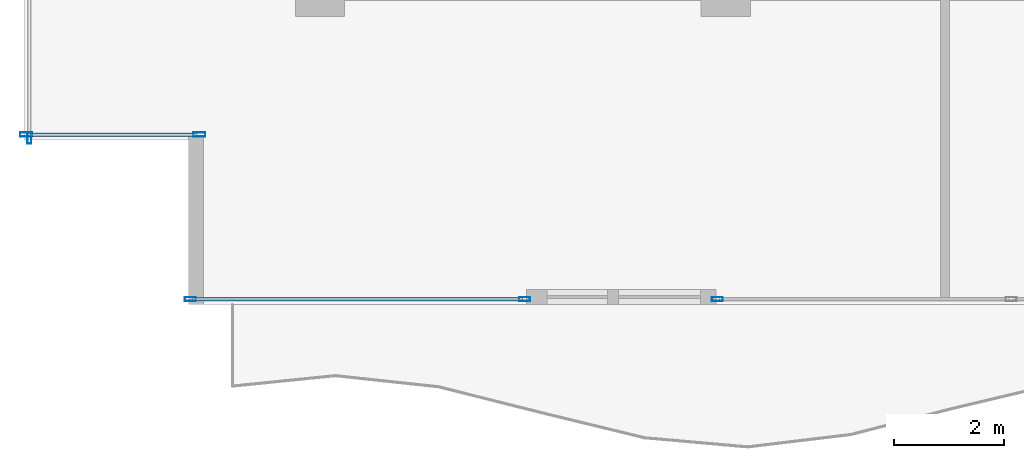
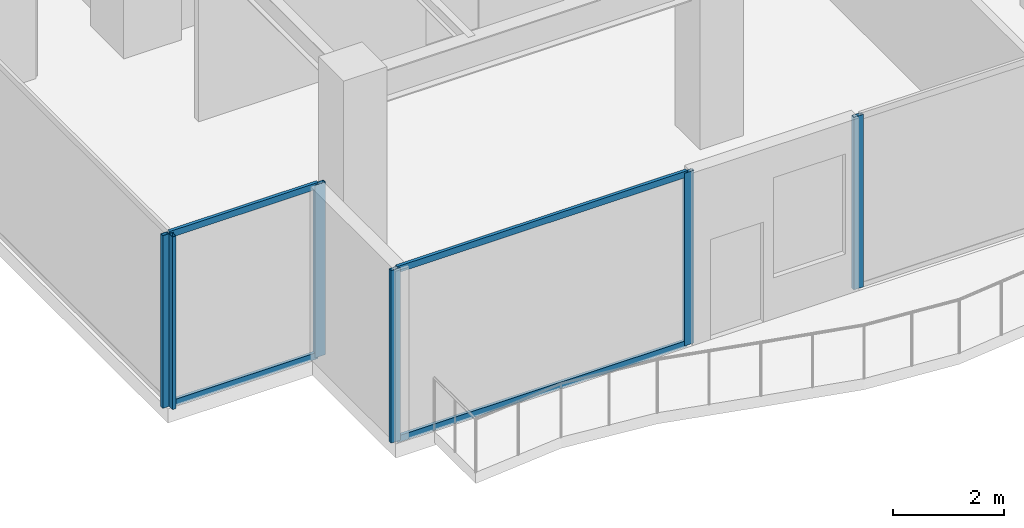
# One storey, part 2 of 30: 10 members, 4 elements without a shape of their own.
"""IFC4 building model written with IfcOpenShell, lengths in metres."""

from ifc_helpers import new_model, si_unit, direction, frame, origin, origin_2d, place, context, subcontext, project, spatial, hollow_rectangle, extrude, source, transform, mapped, material, layer, layer_set, material_profile, profile_set, type_object, type_shapes, element, aggregate, save


model = new_model("IFC4")

# Units and contexts
model_context = context("Model", 3, precision=1e-05, world=origin(), true_north=direction((0.0, 1.0)))
body_context = subcontext(model_context, "Body", "Model", "MODEL_VIEW")
ifc_project = project(units=[si_unit("LENGTHUNIT", "METRE"), si_unit("AREAUNIT", "SQUARE_METRE"), si_unit("VOLUMEUNIT", "CUBIC_METRE"), si_unit("PLANEANGLEUNIT", "RADIAN"), si_unit("MASSUNIT", "GRAM", prefix="KILO")], contexts=[model_context])

# Site, building, storey
site_placement = place(None, origin())
site = spatial("IfcSite", under=ifc_project, at=site_placement, CompositionType="ELEMENT")
building_placement = place(site_placement, origin())
building = spatial("IfcBuilding", under=site, at=building_placement, Name="Haelvirn Gate Laboratories", CompositionType="ELEMENT")
storey_placement = place(building_placement, frame((0.0, 0.0, 146.10009765625)))
storey = spatial("IfcBuildingStorey", under=building, at=storey_placement, Name="L35", CompositionType="ELEMENT", Elevation=146.10009765625)

# Curtain wall, members
ifc_material_1 = material(Name="Anodised bronze unitised aluminium & triple low-E glass", Category="aluminium")
ifc_layer_1 = layer(ifc_material_1, 0.181884765625, Name="CW-SYS-5")
ifc_layer_set_1 = layer_set([ifc_layer_1], Name="Anodised bronze unitised aluminium & triple low-E glass")
curtain_wall_type_1 = type_object("IfcCurtainWallType", Name="CW-SYS-5", PredefinedType="NOTDEFINED", material=ifc_layer_set_1)
curtain_wall_1_placement = place(storey_placement, origin())
curtain_wall_1 = element("IfcCurtainWall", 1, at=curtain_wall_1_placement, inside=storey, type_object=curtain_wall_type_1, Name="L35 Unitised Curtain Wall CW-L35-P0-E18-1", PredefinedType="NOTDEFINED")
ifc_material_2 = material(Name="Extruded aluminium 6063-T6 (anodised bronze)", Category="aluminium")
ifc_material_profile_1 = material_profile(ifc_material_2, hollow_rectangle(XDim=0.06494140625, YDim=0.139892578125, WallThickness=0.00390625, at=origin_2d()), Name="CWT-140x65x4")
ifc_profile_set_1 = profile_set([ifc_material_profile_1], Name="Extruded aluminium 6063-T6 (anodised bronze)")
member_type_1 = type_object("IfcMemberType", Name="CWT-T140", PredefinedType="USERDEFINED", material=ifc_profile_set_1)
shared_shape_1 = source(origin(), body_context, "Body", "SweptSolid", [
    extrude(hollow_rectangle(XDim=0.06494140625, YDim=0.139892578125, WallThickness=0.00390625, at=origin_2d()), origin(), (0.0, 0.0, 1.0), 3.079833984375),
])
member_1_placement = place(storey_placement, frame((2.080078125, 4.39990234375, 0.032470703125), z_axis=(1.0, 0.0, 0.0), x_axis=(0.0, 1.0, 0.0)))
member_1 = element("IfcMember", 2, at=member_1_placement, type_object=member_type_1, Name="CW5 transom 1.1", ObjectType="TRANSOM", PredefinedType="USERDEFINED", context=body_context, shape_type="MappedRepresentation", body=[
    mapped(shared_shape_1, transform((0.0, 0.0, 0.0), scale=1.0)),
])
member_2_placement = place(storey_placement, frame((2.080078125, 4.39990234375, 3.75732421875), z_axis=(1.0, 0.0, 0.0), x_axis=(0.0, 1.0, 0.0)))
member_2 = element("IfcMember", 3, at=member_2_placement, type_object=member_type_1, Name="CW5 transom 1.2", ObjectType="TRANSOM", PredefinedType="USERDEFINED", context=body_context, shape_type="MappedRepresentation", body=[
    mapped(shared_shape_1, transform((0.0, 0.0, 0.0), scale=1.0)),
])

ifc_layer_2 = layer(ifc_material_1, 0.179931640625, Name="CW-SYS-3")
ifc_layer_set_2 = layer_set([ifc_layer_2], Name="Anodised bronze unitised aluminium & triple low-E glass")
curtain_wall_type_2 = type_object("IfcCurtainWallType", Name="CW-SYS-3", PredefinedType="NOTDEFINED", material=ifc_layer_set_2)
curtain_wall_2_placement = place(storey_placement, origin())
curtain_wall_2 = element("IfcCurtainWall", 4, at=curtain_wall_2_placement, inside=storey, type_object=curtain_wall_type_2, Name="L35 Unitised Curtain Wall CW-L35-P0-E00-1", PredefinedType="NOTDEFINED")
ifc_material_profile_2 = material_profile(ifc_material_2, hollow_rectangle(XDim=0.074951171875, YDim=0.199951171875, WallThickness=0.0048828125, at=origin_2d()), Name="CWM-200x75x5")
ifc_profile_set_2 = profile_set([ifc_material_profile_2], Name="Extruded aluminium 6063-T6 (anodised bronze)")
member_type_2 = type_object("IfcMemberType", Name="CWM-T200", PredefinedType="MULLION", material=ifc_profile_set_2)
shared_shape_2 = source(origin(), body_context, "Body", "SweptSolid", [
    extrude(hollow_rectangle(XDim=0.074951171875, YDim=0.199951171875, WallThickness=0.0048828125, at=origin_2d()), origin(), (0.0, 0.0, 1.0), 3.789794921875),
])
type_shapes(member_type_2, [shared_shape_2])
member_3_placement = place(storey_placement, frame((5.03759765625, 1.39990234375, 0.0), z_axis=(0.0, 0.0, 1.0), x_axis=(0.0, 1.0, 0.0)))
member_3 = element("IfcMember", 5, at=member_3_placement, type_object=member_type_2, Name="CW3 mullion 1", PredefinedType="MULLION", context=body_context, shape_type="MappedRepresentation", body=[
    mapped(shared_shape_2, transform((0.0, 0.0, 0.0), scale=1.0)),
])
member_4_placement = place(storey_placement, frame((11.132568359375, 1.39990234375, 0.0), z_axis=(0.0, 0.0, 1.0), x_axis=(0.0, 1.0, 0.0)))
member_4 = element("IfcMember", 6, at=member_4_placement, type_object=member_type_2, Name="CW3 mullion 2", PredefinedType="MULLION", context=body_context, shape_type="MappedRepresentation", body=[
    mapped(shared_shape_2, transform((0.0, 0.0, 0.0), scale=1.0)),
])

# Curtain wall, member
curtain_wall_3_placement = place(storey_placement, origin())
curtain_wall_3 = element("IfcCurtainWall", 7, at=curtain_wall_3_placement, inside=storey, type_object=curtain_wall_type_2, Name="L35 Unitised Curtain Wall CW-L35-P0-E00-2", PredefinedType="NOTDEFINED")
member_5_placement = place(storey_placement, frame((14.6474609375, 1.39990234375, 0.0), z_axis=(0.0, 0.0, 1.0), x_axis=(0.0, 1.0, 0.0)))
member_5 = element("IfcMember", 8, at=member_5_placement, type_object=member_type_2, Name="CW3 mullion 1", PredefinedType="MULLION", context=body_context, shape_type="MappedRepresentation", body=[
    mapped(shared_shape_2, transform((0.0, 0.0, 0.0), scale=1.0)),
])
aggregate(curtain_wall_3, [member_5])

curtain_wall_4_placement = place(storey_placement, origin())
curtain_wall_4 = element("IfcCurtainWall", 9, at=curtain_wall_4_placement, inside=storey, type_object=curtain_wall_type_2, Name="L35 Unitised Curtain Wall CW-L35-P0-E17", PredefinedType="NOTDEFINED")
member_6_placement = place(storey_placement, frame((2.10009765625, 4.33740234375, 0.0), z_axis=(0.0, 0.0, 1.0), x_axis=(1.0, 0.0, 0.0)))
member_6 = element("IfcMember", 10, at=member_6_placement, type_object=member_type_2, Name="CW3 mullion 4", PredefinedType="MULLION", context=body_context, shape_type="MappedRepresentation", body=[
    mapped(shared_shape_2, transform((0.0, 0.0, 0.0), scale=1.0)),
])
aggregate(curtain_wall_4, [member_6])

# Member
ifc_material_profile_3 = material_profile(ifc_material_2, hollow_rectangle(XDim=0.080078125, YDim=0.219970703125, WallThickness=0.006103515625, at=origin_2d()), Name="CWM-220x80x6")
ifc_profile_set_3 = profile_set([ifc_material_profile_3], Name="Extruded aluminium 6063-T6 (anodised bronze)")
member_type_3 = type_object("IfcMemberType", Name="CWM-T220", PredefinedType="MULLION", material=ifc_profile_set_3)
shared_shape_3 = source(origin(), body_context, "Body", "SweptSolid", [
    extrude(hollow_rectangle(XDim=0.080078125, YDim=0.219970703125, WallThickness=0.006103515625, at=origin_2d()), origin(), (0.0, 0.0, 1.0), 3.789794921875),
])
type_shapes(member_type_3, [shared_shape_3])
member_7_placement = place(storey_placement, frame((2.0400390625, 4.39990234375, 0.0), z_axis=(0.0, 0.0, 1.0), x_axis=(0.0, 1.0, 0.0)))
member_7 = element("IfcMember", 11, at=member_7_placement, type_object=member_type_3, Name="CW5 mullion 1", PredefinedType="MULLION", context=body_context, shape_type="MappedRepresentation", body=[
    mapped(shared_shape_3, transform((0.0, 0.0, 0.0), scale=1.0)),
])

member_8_placement = place(storey_placement, frame((5.199951171875, 4.39990234375, 0.0), z_axis=(0.0, 0.0, 1.0), x_axis=(0.0, 1.0, 0.0)))
member_8 = element("IfcMember", 12, at=member_8_placement, type_object=member_type_3, Name="CW5 mullion 2", PredefinedType="MULLION", context=body_context, shape_type="MappedRepresentation", body=[
    mapped(shared_shape_3, transform((0.0, 0.0, 0.0), scale=1.0)),
])

aggregate(curtain_wall_1, [member_7, member_8, member_1, member_2])

shared_shape_4 = source(origin(), body_context, "Body", "SweptSolid", [
    extrude(hollow_rectangle(XDim=0.06494140625, YDim=0.139892578125, WallThickness=0.00390625, at=origin_2d()), origin(), (0.0, 0.0, 1.0), 6.02001953125),
])
type_shapes(member_type_1, [shared_shape_1, shared_shape_4])
member_9_placement = place(storey_placement, frame((5.074951171875, 1.39990234375, 0.032470703125), z_axis=(1.0, 0.0, 0.0), x_axis=(0.0, 1.0, 0.0)))
member_9 = element("IfcMember", 13, at=member_9_placement, type_object=member_type_1, Name="CW3 transom 1.1", ObjectType="TRANSOM", PredefinedType="USERDEFINED", context=body_context, shape_type="MappedRepresentation", body=[
    mapped(shared_shape_4, transform((0.0, 0.0, 0.0), scale=1.0)),
])

member_10_placement = place(storey_placement, frame((5.074951171875, 1.39990234375, 3.75732421875), z_axis=(1.0, 0.0, 0.0), x_axis=(0.0, 1.0, 0.0)))
member_10 = element("IfcMember", 14, at=member_10_placement, type_object=member_type_1, Name="CW3 transom 1.2", ObjectType="TRANSOM", PredefinedType="USERDEFINED", context=body_context, shape_type="MappedRepresentation", body=[
    mapped(shared_shape_4, transform((0.0, 0.0, 0.0), scale=1.0)),
])

aggregate(curtain_wall_2, [member_3, member_4, member_9, member_10])

save(model, "model.ifc")
